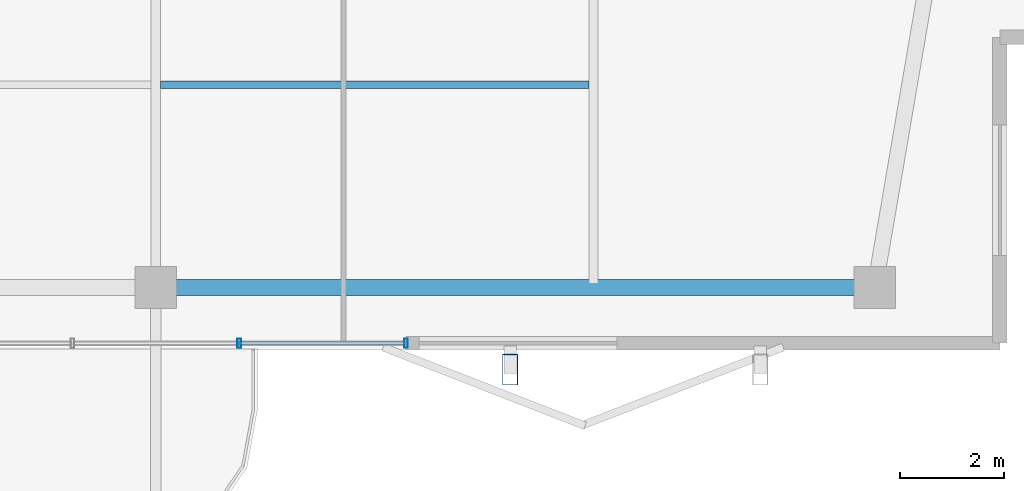
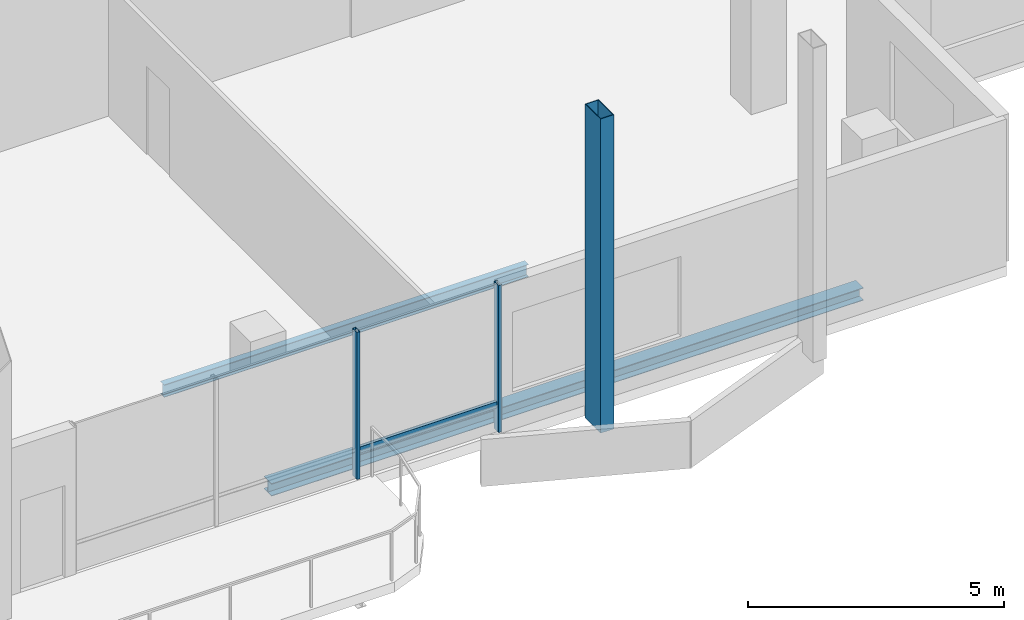
# One storey, part 4 of 22: 4 members, 2 beams, 1 element without a shape of its own.
"""IFC4 building model written with IfcOpenShell, lengths in metres."""

from ifc_helpers import new_model, si_unit, direction, frame, origin, origin_2d, place, context, subcontext, project, spatial, hollow_rectangle, i_section, extrude, material, layer, layer_set, material_profile, profile_set, type_object, element, aggregate, save


model = new_model("IFC4")

# Units and contexts
model_context = context("Model", 3, precision=1e-05, world=origin(), true_north=direction((0.0, 1.0)))
body_context = subcontext(model_context, "Body", "Model", "MODEL_VIEW")
ifc_project = project(units=[si_unit("LENGTHUNIT", "METRE"), si_unit("AREAUNIT", "SQUARE_METRE"), si_unit("VOLUMEUNIT", "CUBIC_METRE"), si_unit("PLANEANGLEUNIT", "RADIAN"), si_unit("MASSUNIT", "GRAM", prefix="KILO")], contexts=[model_context])

# Site, building, storey
site_placement = place(None, origin())
site = spatial("IfcSite", under=ifc_project, at=site_placement, CompositionType="ELEMENT")
building_placement = place(site_placement, origin())
building = spatial("IfcBuilding", under=site, at=building_placement, Name="Belovzor Exchange Tower", CompositionType="ELEMENT")
storey_placement = place(building_placement, frame((0.0, 0.0, 336.75)))
storey = spatial("IfcBuildingStorey", under=building, at=storey_placement, Name="L84", CompositionType="ELEMENT", Elevation=336.75)

# Beam
ifc_material_1 = material(Name="Steel S355", Category="steel")
ifc_material_profile_1 = material_profile(ifc_material_1, i_section(OverallWidth=0.14990234375, OverallDepth=0.300048828125, WebThickness=0.007080078125, FlangeThickness=0.0107421875, at=origin_2d()))
ifc_profile_set_1 = profile_set([ifc_material_profile_1], Name="Steel S355")
beam_type_1 = type_object("IfcBeamType", Name="Secondary Trim Floor Joist IPE 300", PredefinedType="BEAM", material=ifc_profile_set_1)
beam_1_placement = place(storey_placement, frame((28.889892578125, 11.69091796875, -0.389892578125), z_axis=(1.0, 0.0, 0.0), x_axis=(0.0, 1.0, 0.0)))
element("IfcBeam", 1, at=beam_1_placement, inside=storey, type_object=beam_type_1, Name="FJ-300 Secondary Trim Floor Joist IPE 300", PredefinedType="BEAM", context=body_context, shape_type="SweptSolid", body=[
    extrude(i_section(OverallWidth=0.14990234375, OverallDepth=0.300048828125, WebThickness=0.007080078125, FlangeThickness=0.0107421875, at=origin_2d()), origin(), (0.0, 0.0, 1.0), 8.22021484375),
])

# Curtain wall, members
ifc_material_2 = material(Name="Anodised Aluminium Framing", Category="aluminium")
ifc_layer = layer(ifc_material_2, 0.179931640625)
ifc_layer_set = layer_set([ifc_layer], Name="Anodised Aluminium Framing")
curtain_wall_type = type_object("IfcCurtainWallType", Name="Recessed Loggia Low-Iron Triple-Glazed Curtain Wall", PredefinedType="NOTDEFINED", material=ifc_layer_set)
curtain_wall_placement = place(storey_placement, origin())
curtain_wall = element("IfcCurtainWall", 2, at=curtain_wall_placement, inside=storey, type_object=curtain_wall_type, Name="CW3 Recessed Loggia Low-Iron Triple-Glazed Curtain Wall L84", PredefinedType="NOTDEFINED")
ifc_material_3 = material(Name="Steel S355", Category="steel")
ifc_material_profile_2 = material_profile(ifc_material_3, hollow_rectangle(XDim=0.074951171875, YDim=0.179931640625, WallThickness=0.0048828125, at=origin_2d()))
ifc_profile_set_2 = profile_set([ifc_material_profile_2], Name="Steel S355")
member_type_1 = type_object("IfcMemberType", Name="Thermally Broken Curtain Wall Mullion 180x75", PredefinedType="MULLION", material=ifc_profile_set_2)
member_1_placement = place(storey_placement, frame((33.60009765625, 6.72998046875, 0.0), z_axis=(0.0, 0.0, 1.0), x_axis=(-1.0, 0.0, 0.0)))
member_1 = element("IfcMember", 3, at=member_1_placement, type_object=member_type_1, Name="CW-M180 Curtain Wall Mullion 1", PredefinedType="MULLION", context=body_context, shape_type="SweptSolid", body=[
    extrude(hollow_rectangle(XDim=0.074951171875, YDim=0.179931640625, WallThickness=0.0048828125, at=origin_2d()), origin(), (0.0, 0.0, 1.0), 3.510009765625),
])
member_2_placement = place(storey_placement, frame((30.39990234375, 6.72998046875, 0.0), z_axis=(0.0, 0.0, 1.0), x_axis=(-1.0, 0.0, 0.0)))
member_2 = element("IfcMember", 4, at=member_2_placement, type_object=member_type_1, Name="CW-M180 Curtain Wall Mullion 2", PredefinedType="MULLION", context=body_context, shape_type="SweptSolid", body=[
    extrude(hollow_rectangle(XDim=0.074951171875, YDim=0.179931640625, WallThickness=0.0048828125, at=origin_2d()), origin(), (0.0, 0.0, 1.0), 3.510009765625),
])
ifc_material_4 = material(Name="Steel S355", Category="steel")
ifc_material_profile_3 = material_profile(ifc_material_4, hollow_rectangle(XDim=0.06005859375, YDim=0.14990234375, WallThickness=0.00390625, at=origin_2d()))
ifc_profile_set_3 = profile_set([ifc_material_profile_3], Name="Steel S355")
member_type_2 = type_object("IfcMemberType", Name="Thermally Broken Curtain Wall Transom 150x60", PredefinedType="USERDEFINED", material=ifc_profile_set_3)
member_3_placement = place(storey_placement, frame((33.592041015625, 6.72998046875, 0.632080078125), z_axis=(-1.0, 0.0, 0.0), x_axis=(0.0, -1.0, 0.0)))
member_3 = element("IfcMember", 5, at=member_3_placement, type_object=member_type_2, Name="CW-T150 Curtain Wall Transom 1", ObjectType="TRANSOM", PredefinedType="USERDEFINED", context=body_context, shape_type="SweptSolid", body=[
    extrude(hollow_rectangle(XDim=0.06005859375, YDim=0.14990234375, WallThickness=0.00390625, at=origin_2d()), origin(), (0.0, 0.0, 1.0), 3.18408203125),
])
aggregate(curtain_wall, [member_1, member_2, member_3])

# Member
ifc_material_5 = material(Name="Extruded Architectural Terracotta on Steel S355 Carrier", Category="masonry")
ifc_material_profile_4 = material_profile(ifc_material_5, hollow_rectangle(XDim=0.300048828125, YDim=0.60009765625, WallThickness=0.01611328125, at=origin_2d()))
ifc_profile_set_4 = profile_set([ifc_material_profile_4], Name="Extruded Architectural Terracotta on Steel S355 Carrier")
member_type_3 = type_object("IfcMemberType", Name="Upper Crown Terracotta Fin Assembly 550", PredefinedType="USERDEFINED", material=ifc_profile_set_4)
member_4_placement = place(storey_placement, frame((35.60009765625, 6.22509765625, -0.239990234375), z_axis=(0.0, 0.0, 1.0), x_axis=(1.0, 0.0, 0.0)))
element("IfcMember", 6, at=member_4_placement, inside=storey, type_object=member_type_3, Name="FIN-TC055 Terracotta Facade Fin L84 S3", ObjectType="FIN", PredefinedType="USERDEFINED", context=body_context, shape_type="SweptSolid", body=[
    extrude(hollow_rectangle(XDim=0.300048828125, YDim=0.60009765625, WallThickness=0.01611328125, at=origin_2d()), origin(), (0.0, 0.0, 1.0), 7.5),
])

# Beam
ifc_material_6 = material(Name="Steel S355", Category="steel")
ifc_material_profile_5 = material_profile(ifc_material_6, i_section(OverallWidth=0.300048828125, OverallDepth=0.300048828125, WebThickness=0.008544921875, FlangeThickness=0.013916015625, at=origin_2d()))
ifc_profile_set_5 = profile_set([ifc_material_profile_5], Name="Steel S355")
beam_type_2 = type_object("IfcBeamType", Name="Zone 6 Primary Girder HEA 300", PredefinedType="BEAM", material=ifc_profile_set_5)
beam_2_placement = place(storey_placement, frame((29.02001953125, 7.800048828125, -0.389892578125), z_axis=(1.0, 0.0, 0.0), x_axis=(0.0, 1.0, 0.0)))
element("IfcBeam", 7, at=beam_2_placement, inside=storey, type_object=beam_type_2, Name="FG-Z6 Zone 6 Primary Girder HEA 300", PredefinedType="BEAM", context=body_context, shape_type="SweptSolid", body=[
    extrude(i_section(OverallWidth=0.300048828125, OverallDepth=0.300048828125, WebThickness=0.008544921875, FlangeThickness=0.013916015625, at=origin_2d()), origin(), (0.0, 0.0, 1.0), 13.35986328125),
])

save(model, "model.ifc")
